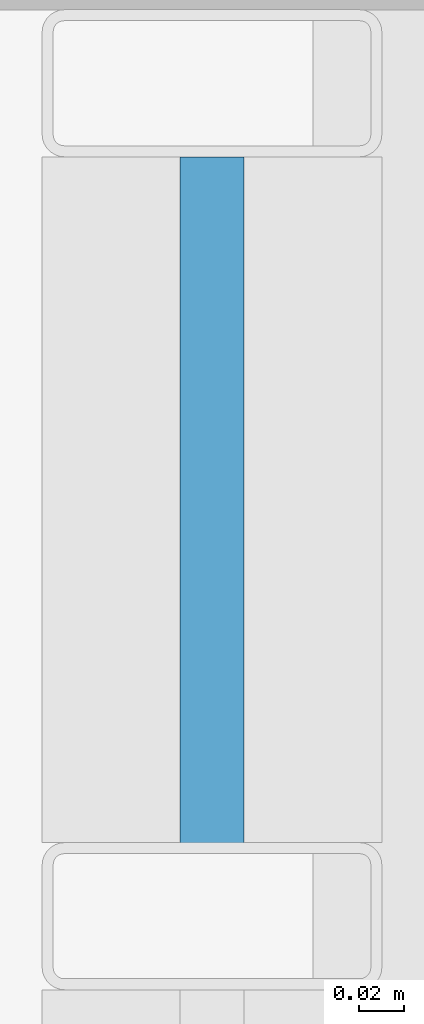
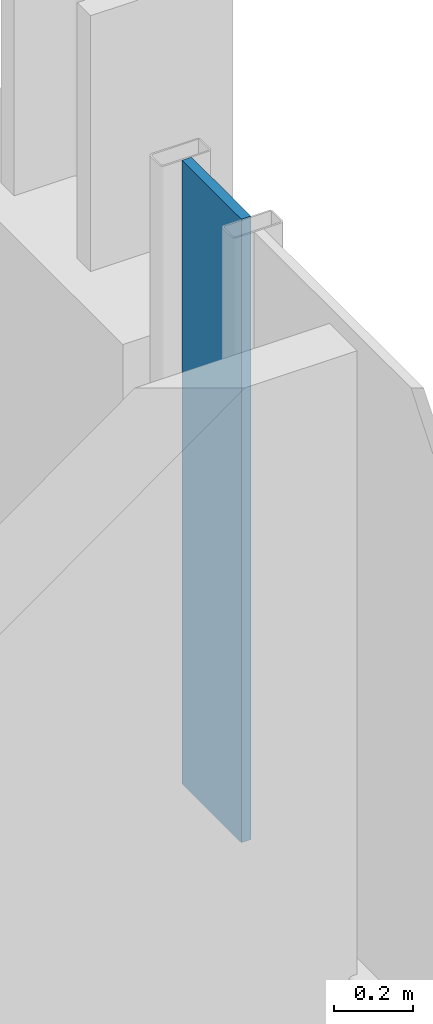
# One storey, part 28 of 40: 1 plate, 1 element without a shape of its own.
"""IFC4 building model written with IfcOpenShell, lengths in metres."""

from ifc_helpers import new_model, si_unit, direction, frame, origin, origin_2d, place, context, subcontext, project, spatial, rectangle, extrude, material, layer, layer_set, type_object, element, aggregate, save


model = new_model("IFC4")

# Units and contexts
model_context = context("Model", 3, precision=1e-05, world=origin(), true_north=direction((0.0, 1.0)))
body_context = subcontext(model_context, "Body", "Model", "MODEL_VIEW")
ifc_project = project(units=[si_unit("LENGTHUNIT", "METRE"), si_unit("AREAUNIT", "SQUARE_METRE"), si_unit("VOLUMEUNIT", "CUBIC_METRE"), si_unit("PLANEANGLEUNIT", "RADIAN"), si_unit("MASSUNIT", "GRAM", prefix="KILO")], contexts=[model_context])

# Site, building, storey
site_placement = place(None, origin())
site = spatial("IfcSite", under=ifc_project, at=site_placement, CompositionType="ELEMENT")
building_placement = place(site_placement, origin())
building = spatial("IfcBuilding", under=site, at=building_placement, Name="Brevholm Reach", CompositionType="ELEMENT")
storey_placement = place(building_placement, frame((0.0, 0.0, 62.10009765625)))
storey = spatial("IfcBuildingStorey", under=building, at=storey_placement, Name="L17", CompositionType="ELEMENT", Elevation=62.10009765625)

# Curtain wall, plate
ifc_material_1 = material(Name="Dark Anodised Aluminium 6063-T6 and Solar-Control Glass", Category="aluminium")
ifc_layer_1 = layer(ifc_material_1, 0.14990234375)
ifc_layer_set_1 = layer_set([ifc_layer_1], Name="Dark Anodised Aluminium 6063-T6 and Solar-Control Glass")
curtain_wall_type = type_object("IfcCurtainWallType", Name="CW-01", PredefinedType="NOTDEFINED", material=ifc_layer_set_1)
curtain_wall_placement = place(storey_placement, origin())
curtain_wall = element("IfcCurtainWall", 1, at=curtain_wall_placement, inside=storey, type_object=curtain_wall_type, Name="L17 Curtain Wall CW-01", PredefinedType="NOTDEFINED")
ifc_material_2 = material(Name="Dark Solar-Control Double-Glazed IGU Glass", Category="glass")
ifc_layer_2 = layer(ifc_material_2, 0.028076171875)
ifc_layer_set_2 = layer_set([ifc_layer_2], Name="Dark Solar-Control Double-Glazed IGU Glass")
plate_type = type_object("IfcPlateType", Name="CWP-GLZ-28", PredefinedType="CURTAIN_PANEL", material=ifc_layer_set_2)
plate_placement = place(storey_placement, frame((59.85009765625, 22.733642578125, 0.932373046875), z_axis=(0.0, 0.0, 1.0), x_axis=(0.0, 1.0, 0.0)))
plate = element("IfcPlate", 2, at=plate_placement, type_object=plate_type, Name="CP-01 Glazing Panel 5.2", PredefinedType="CURTAIN_PANEL", context=body_context, shape_type="SweptSolid", body=[
    extrude(rectangle(XDim=0.302490234375, YDim=0.028076171875, at=origin_2d()), origin(), (0.0, 0.0, 1.0), 1.9375),
])
aggregate(curtain_wall, [plate])

save(model, "model.ifc")
